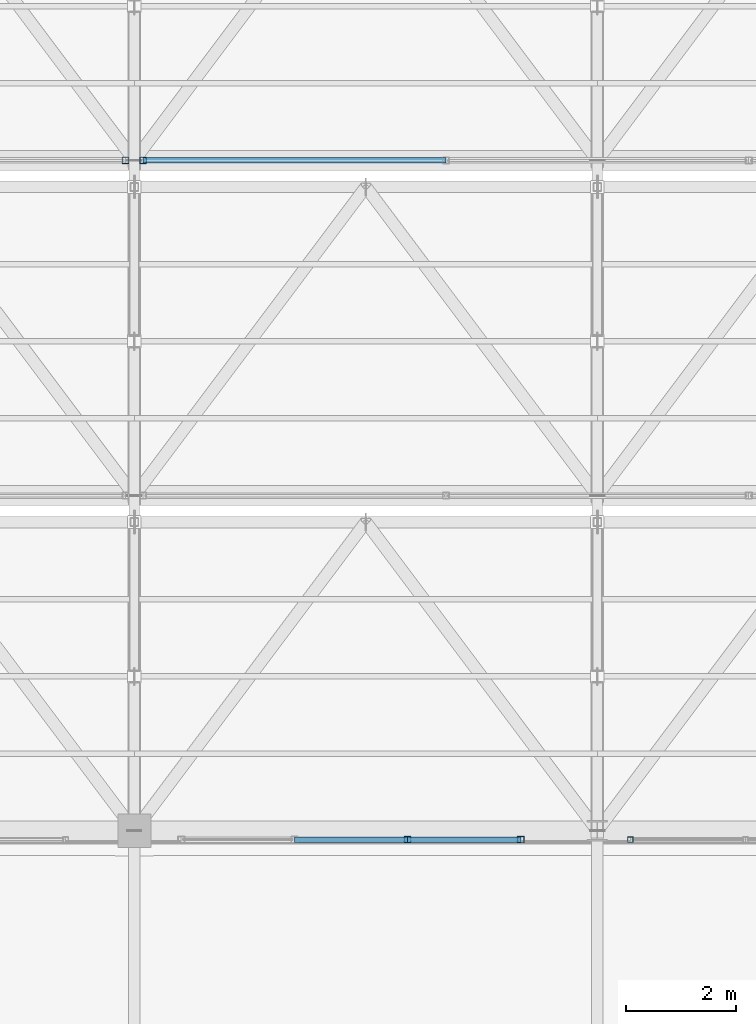
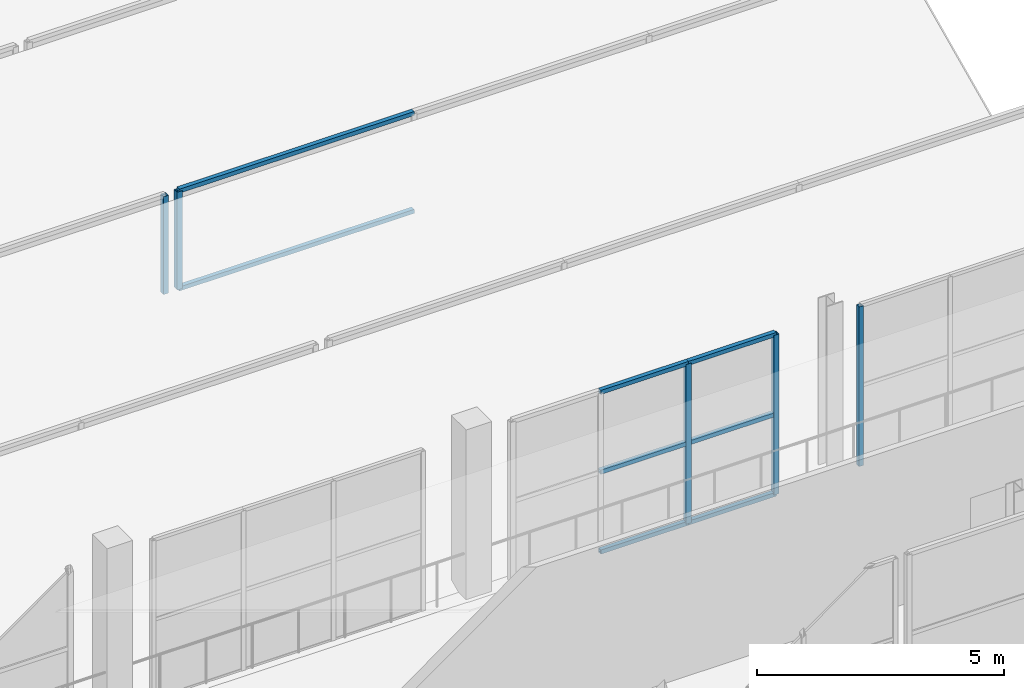
# One storey, part 96 of 217: 13 members, 4 elements without a shape of their own.
"""IFC4 building model written with IfcOpenShell, lengths in metres."""

from ifc_helpers import new_model, si_unit, direction, frame, origin, origin_2d, place, context, subcontext, project, spatial, hollow_rectangle, extrude, material, material_profile, profile_set, type_object, element, aggregate, save


model = new_model("IFC4")

# Units and contexts
model_context = context("Model", 3, precision=1e-05, world=origin(), true_north=direction((0.0, 1.0)))
body_context = subcontext(model_context, "Body", "Model", "MODEL_VIEW")
ifc_project = project(units=[si_unit("LENGTHUNIT", "METRE"), si_unit("AREAUNIT", "SQUARE_METRE"), si_unit("VOLUMEUNIT", "CUBIC_METRE"), si_unit("PLANEANGLEUNIT", "RADIAN"), si_unit("MASSUNIT", "GRAM", prefix="KILO")], contexts=[model_context])

# Site, building, storey
site_placement = place(None, origin())
site = spatial("IfcSite", under=ifc_project, at=site_placement, CompositionType="ELEMENT")
building_placement = place(site_placement, origin())
building = spatial("IfcBuilding", under=site, at=building_placement, Name="Zuvorla Pavilion Media Centre", CompositionType="ELEMENT")
storey_placement = place(building_placement, frame((0.0, 0.0, 9.60009765625)))
storey = spatial("IfcBuildingStorey", under=building, at=storey_placement, Name="L02", CompositionType="ELEMENT", Elevation=9.60009765625)

# Curtain wall, member
ifc_material_1 = material(Name="Unitised anodised aluminium and solar glass curtain wall", Category="aluminium")
curtain_wall_type_1 = type_object("IfcCurtainWallType", Name="CW-SYS-10", PredefinedType="USERDEFINED", material=ifc_material_1)
curtain_wall_1_placement = place(storey_placement, origin())
curtain_wall_1 = element("IfcCurtainWall", 1, at=curtain_wall_1_placement, inside=storey, type_object=curtain_wall_type_1, Name="L02 curtain wall CW10 15", ObjectType="CURTAIN WALL", PredefinedType="USERDEFINED")
ifc_material_2 = material(Name="Anodised aluminium 6063-T6", Category="aluminium")
ifc_material_profile_1 = material_profile(ifc_material_2, hollow_rectangle(XDim=0.10009765625, YDim=0.10009765625, WallThickness=0.00439453125, at=origin_2d()), Name="ALU MULL 100x100")
ifc_profile_set_1 = profile_set([ifc_material_profile_1], Name="Anodised aluminium 6063-T6")
member_type_1 = type_object("IfcMemberType", Name="CW-MULL-100", PredefinedType="MULLION", material=ifc_profile_set_1)
member_1_placement = place(storey_placement, frame((126.2001953125, 89.43994140625, 0.0), z_axis=(0.0, 0.0, 1.0), x_axis=(1.0, 0.0, 0.0)))
member_1 = element("IfcMember", 2, at=member_1_placement, type_object=member_type_1, Name="CW10 mullion 4", PredefinedType="MULLION", context=body_context, shape_type="SweptSolid", body=[
    extrude(hollow_rectangle(XDim=0.10009765625, YDim=0.10009765625, WallThickness=0.00439453125, at=origin_2d()), origin(), (0.0, 0.0, 1.0), 3.949951171875),
])
aggregate(curtain_wall_1, [member_1])

# Curtain wall, members
curtain_wall_type_2 = type_object("IfcCurtainWallType", Name="CW-SYS-11", PredefinedType="USERDEFINED", material=ifc_material_1)
curtain_wall_2_placement = place(storey_placement, origin())
curtain_wall_2 = element("IfcCurtainWall", 3, at=curtain_wall_2_placement, inside=storey, type_object=curtain_wall_type_2, Name="L02 curtain wall CW11 16", ObjectType="CURTAIN WALL", PredefinedType="USERDEFINED")
ifc_material_profile_2 = material_profile(ifc_material_2, hollow_rectangle(XDim=0.1201171875, YDim=0.1201171875, WallThickness=0.0048828125, at=origin_2d()), Name="ALU MULL 120x120")
ifc_profile_set_2 = profile_set([ifc_material_profile_2], Name="Anodised aluminium 6063-T6")
member_type_2 = type_object("IfcMemberType", Name="CW-MULL-120", PredefinedType="MULLION", material=ifc_profile_set_2)
member_2_placement = place(storey_placement, frame((124.21142578125, 89.43994140625, 0.0), z_axis=(0.0, 0.0, 1.0), x_axis=(1.0, 0.0, 0.0)))
member_2 = element("IfcMember", 4, at=member_2_placement, type_object=member_type_2, Name="CW11 mullion 1", PredefinedType="MULLION", context=body_context, shape_type="SweptSolid", body=[
    extrude(hollow_rectangle(XDim=0.1201171875, YDim=0.1201171875, WallThickness=0.0048828125, at=origin_2d()), origin(), (0.0, 0.0, 1.0), 3.949951171875),
])
member_3_placement = place(storey_placement, frame((122.15771484375, 89.43994140625, 0.0), z_axis=(0.0, 0.0, 1.0), x_axis=(1.0, 0.0, 0.0)))
member_3 = element("IfcMember", 5, at=member_3_placement, type_object=member_type_2, Name="CW11 mullion 2", PredefinedType="MULLION", context=body_context, shape_type="SweptSolid", body=[
    extrude(hollow_rectangle(XDim=0.1201171875, YDim=0.1201171875, WallThickness=0.0048828125, at=origin_2d()), origin(), (0.0, 0.0, 1.0), 3.949951171875),
])

# Curtain wall, member
curtain_wall_type_3 = type_object("IfcCurtainWallType", Name="CW-SYS-88", PredefinedType="USERDEFINED", material=ifc_material_1)
curtain_wall_3_placement = place(storey_placement, origin())
curtain_wall_3 = element("IfcCurtainWall", 6, at=curtain_wall_3_placement, inside=storey, type_object=curtain_wall_type_3, Name="L02 curtain wall CW88 206", ObjectType="CURTAIN WALL", PredefinedType="USERDEFINED")
member_4_placement = place(storey_placement, frame((117.0400390625, 101.760009765625, 0.0), z_axis=(0.0, 0.0, 1.0), x_axis=(1.0, 0.0, 0.0)))
member_4 = element("IfcMember", 7, at=member_4_placement, type_object=member_type_2, Name="CW88 mullion 4", PredefinedType="MULLION", context=body_context, shape_type="SweptSolid", body=[
    extrude(hollow_rectangle(XDim=0.1201171875, YDim=0.1201171875, WallThickness=0.0048828125, at=origin_2d()), origin(), (0.0, 0.0, 1.0), 2.419921875),
])
aggregate(curtain_wall_3, [member_4])

curtain_wall_4_placement = place(storey_placement, origin())
curtain_wall_4 = element("IfcCurtainWall", 8, at=curtain_wall_4_placement, inside=storey, type_object=curtain_wall_type_3, Name="L02 curtain wall CW88 207", ObjectType="CURTAIN WALL", PredefinedType="USERDEFINED")
member_5_placement = place(storey_placement, frame((117.360107421875, 101.760009765625, 0.0), z_axis=(0.0, 0.0, 1.0), x_axis=(1.0, 0.0, 0.0)))
member_5 = element("IfcMember", 9, at=member_5_placement, type_object=member_type_2, Name="CW88 mullion 1", PredefinedType="MULLION", context=body_context, shape_type="SweptSolid", body=[
    extrude(hollow_rectangle(XDim=0.1201171875, YDim=0.1201171875, WallThickness=0.0048828125, at=origin_2d()), origin(), (0.0, 0.0, 1.0), 2.419921875),
])

# Member
ifc_material_profile_3 = material_profile(ifc_material_2, hollow_rectangle(XDim=0.10009765625, YDim=0.10009765625, WallThickness=0.00439453125, at=origin_2d()), Name="ALU TRAN 100x100")
ifc_profile_set_3 = profile_set([ifc_material_profile_3], Name="Anodised aluminium 6063-T6")
member_type_3 = type_object("IfcMemberType", Name="CW-TRAN-100", PredefinedType="USERDEFINED", material=ifc_profile_set_3)
member_6_placement = place(storey_placement, frame((124.21142578125, 89.43994140625, 0.0), z_axis=(-1.0, 0.0, 0.0), x_axis=(0.0, -1.0, 0.0)))
member_6 = element("IfcMember", 10, at=member_6_placement, type_object=member_type_3, Name="CW11 transom 1.1", ObjectType="TRANSOM", PredefinedType="USERDEFINED", context=body_context, shape_type="SweptSolid", body=[
    extrude(hollow_rectangle(XDim=0.10009765625, YDim=0.10009765625, WallThickness=0.00439453125, at=origin_2d()), origin(), (0.0, 0.0, 1.0), 2.0537109375),
])

member_7_placement = place(storey_placement, frame((124.21142578125, 89.43994140625, 1.974853515625), z_axis=(-1.0, 0.0, 0.0), x_axis=(0.0, -1.0, 0.0)))
member_7 = element("IfcMember", 11, at=member_7_placement, type_object=member_type_3, Name="CW11 transom 1.2", ObjectType="TRANSOM", PredefinedType="USERDEFINED", context=body_context, shape_type="SweptSolid", body=[
    extrude(hollow_rectangle(XDim=0.10009765625, YDim=0.10009765625, WallThickness=0.00439453125, at=origin_2d()), origin(), (0.0, 0.0, 1.0), 2.0537109375),
])

member_8_placement = place(storey_placement, frame((124.21142578125, 89.43994140625, 3.949951171875), z_axis=(-1.0, 0.0, 0.0), x_axis=(0.0, -1.0, 0.0)))
member_8 = element("IfcMember", 12, at=member_8_placement, type_object=member_type_3, Name="CW11 transom 1.3", ObjectType="TRANSOM", PredefinedType="USERDEFINED", context=body_context, shape_type="SweptSolid", body=[
    extrude(hollow_rectangle(XDim=0.10009765625, YDim=0.10009765625, WallThickness=0.00439453125, at=origin_2d()), origin(), (0.0, 0.0, 1.0), 2.0537109375),
])

member_9_placement = place(storey_placement, frame((122.15771484375, 89.43994140625, 0.0), z_axis=(-1.0, 0.0, 0.0), x_axis=(0.0, -1.0, 0.0)))
member_9 = element("IfcMember", 13, at=member_9_placement, type_object=member_type_3, Name="CW11 transom 2.1", ObjectType="TRANSOM", PredefinedType="USERDEFINED", context=body_context, shape_type="SweptSolid", body=[
    extrude(hollow_rectangle(XDim=0.10009765625, YDim=0.10009765625, WallThickness=0.00439453125, at=origin_2d()), origin(), (0.0, 0.0, 1.0), 2.0537109375),
])

member_10_placement = place(storey_placement, frame((122.15771484375, 89.43994140625, 1.974853515625), z_axis=(-1.0, 0.0, 0.0), x_axis=(0.0, -1.0, 0.0)))
member_10 = element("IfcMember", 14, at=member_10_placement, type_object=member_type_3, Name="CW11 transom 2.2", ObjectType="TRANSOM", PredefinedType="USERDEFINED", context=body_context, shape_type="SweptSolid", body=[
    extrude(hollow_rectangle(XDim=0.10009765625, YDim=0.10009765625, WallThickness=0.00439453125, at=origin_2d()), origin(), (0.0, 0.0, 1.0), 2.0537109375),
])

member_11_placement = place(storey_placement, frame((122.15771484375, 89.43994140625, 3.949951171875), z_axis=(-1.0, 0.0, 0.0), x_axis=(0.0, -1.0, 0.0)))
member_11 = element("IfcMember", 15, at=member_11_placement, type_object=member_type_3, Name="CW11 transom 2.3", ObjectType="TRANSOM", PredefinedType="USERDEFINED", context=body_context, shape_type="SweptSolid", body=[
    extrude(hollow_rectangle(XDim=0.10009765625, YDim=0.10009765625, WallThickness=0.00439453125, at=origin_2d()), origin(), (0.0, 0.0, 1.0), 2.0537109375),
])

aggregate(curtain_wall_2, [member_2, member_3, member_6, member_7, member_8, member_9, member_10, member_11])

member_12_placement = place(storey_placement, frame((117.360107421875, 101.760009765625, 0.0), z_axis=(1.0, 0.0, 0.0), x_axis=(0.0, 1.0, 0.0)))
member_12 = element("IfcMember", 16, at=member_12_placement, type_object=member_type_3, Name="CW88 transom 1.1", ObjectType="TRANSOM", PredefinedType="USERDEFINED", context=body_context, shape_type="SweptSolid", body=[
    extrude(hollow_rectangle(XDim=0.10009765625, YDim=0.10009765625, WallThickness=0.00439453125, at=origin_2d()), origin(), (0.0, 0.0, 1.0), 5.4931640625),
])

member_13_placement = place(storey_placement, frame((117.360107421875, 101.760009765625, 2.419921875), z_axis=(1.0, 0.0, 0.0), x_axis=(0.0, 1.0, 0.0)))
member_13 = element("IfcMember", 17, at=member_13_placement, type_object=member_type_3, Name="CW88 transom 1.2", ObjectType="TRANSOM", PredefinedType="USERDEFINED", context=body_context, shape_type="SweptSolid", body=[
    extrude(hollow_rectangle(XDim=0.10009765625, YDim=0.10009765625, WallThickness=0.00439453125, at=origin_2d()), origin(), (0.0, 0.0, 1.0), 5.4931640625),
])

aggregate(curtain_wall_4, [member_5, member_12, member_13])

save(model, "model.ifc")
